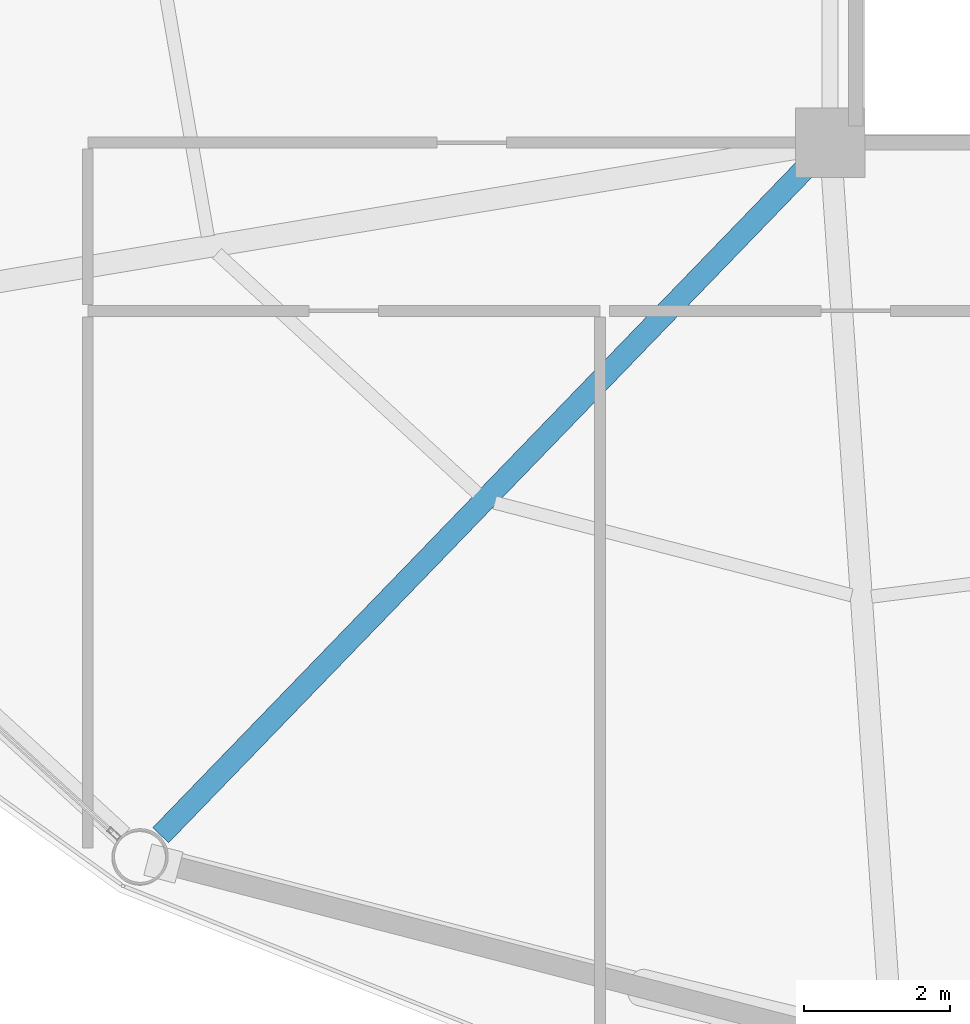
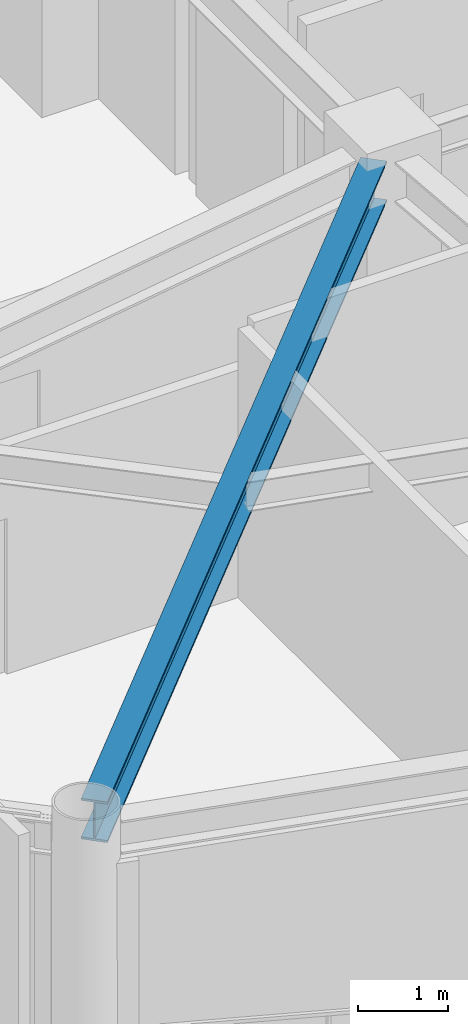
# One storey, part 4 of 26: 1 beam.
"""IFC4 building model written with IfcOpenShell, lengths in metres."""

from ifc_helpers import new_model, si_unit, direction, frame, origin, origin_2d, place, context, subcontext, project, spatial, i_section, extrude, material, material_profile, profile_set, type_object, element, save


model = new_model("IFC4")

# Units and contexts
model_context = context("Model", 3, precision=1e-05, world=origin(), true_north=direction((0.0, 1.0)))
body_context = subcontext(model_context, "Body", "Model", "MODEL_VIEW")
ifc_project = project(units=[si_unit("LENGTHUNIT", "METRE"), si_unit("AREAUNIT", "SQUARE_METRE"), si_unit("VOLUMEUNIT", "CUBIC_METRE"), si_unit("PLANEANGLEUNIT", "RADIAN"), si_unit("MASSUNIT", "GRAM", prefix="KILO")], contexts=[model_context])

# Site, building, storey
site_placement = place(None, origin())
site = spatial("IfcSite", under=ifc_project, at=site_placement, CompositionType="ELEMENT")
building_placement = place(site_placement, origin())
building = spatial("IfcBuilding", under=site, at=building_placement, Name="Varnakorn Sky Granary", CompositionType="ELEMENT")
storey_placement = place(building_placement, frame((0.0, 0.0, 153.89990234375)))
storey = spatial("IfcBuildingStorey", under=building, at=storey_placement, Name="L38", CompositionType="ELEMENT", Elevation=153.89990234375)

# Beam
ifc_material = material(Name="Steel S355JR", Category="steel")
ifc_material_profile = material_profile(ifc_material, i_section(OverallWidth=0.300048828125, OverallDepth=0.550048828125, WebThickness=0.014892578125, FlangeThickness=0.029052734375, at=origin_2d()), Name="HE 550 B")
ifc_profile_set = profile_set([ifc_material_profile], Name="Steel S355JR")
beam_type = type_object("IfcBeamType", Name="BM-RAD-Z3", PredefinedType="BEAM", material=ifc_profile_set)
beam_placement = place(storey_placement, frame((-2.641845703125, -6.902099609375, 3.364990234375), z_axis=(-0.695046844376, -0.718964452614, 0.0), x_axis=(0.718964452614, -0.695046844376, 0.0)))
element("IfcBeam", 1, at=beam_placement, inside=storey, type_object=beam_type, Name="Radial Floor Girder RG09 L38", PredefinedType="BEAM", context=body_context, shape_type="SweptSolid", body=[
    extrude(i_section(OverallWidth=0.300048828125, OverallDepth=0.550048828125, WebThickness=0.014892578125, FlangeThickness=0.029052734375, at=origin_2d()), origin(), (0.0, 0.0, 1.0), 12.749267578125),
])

save(model, "model.ifc")
